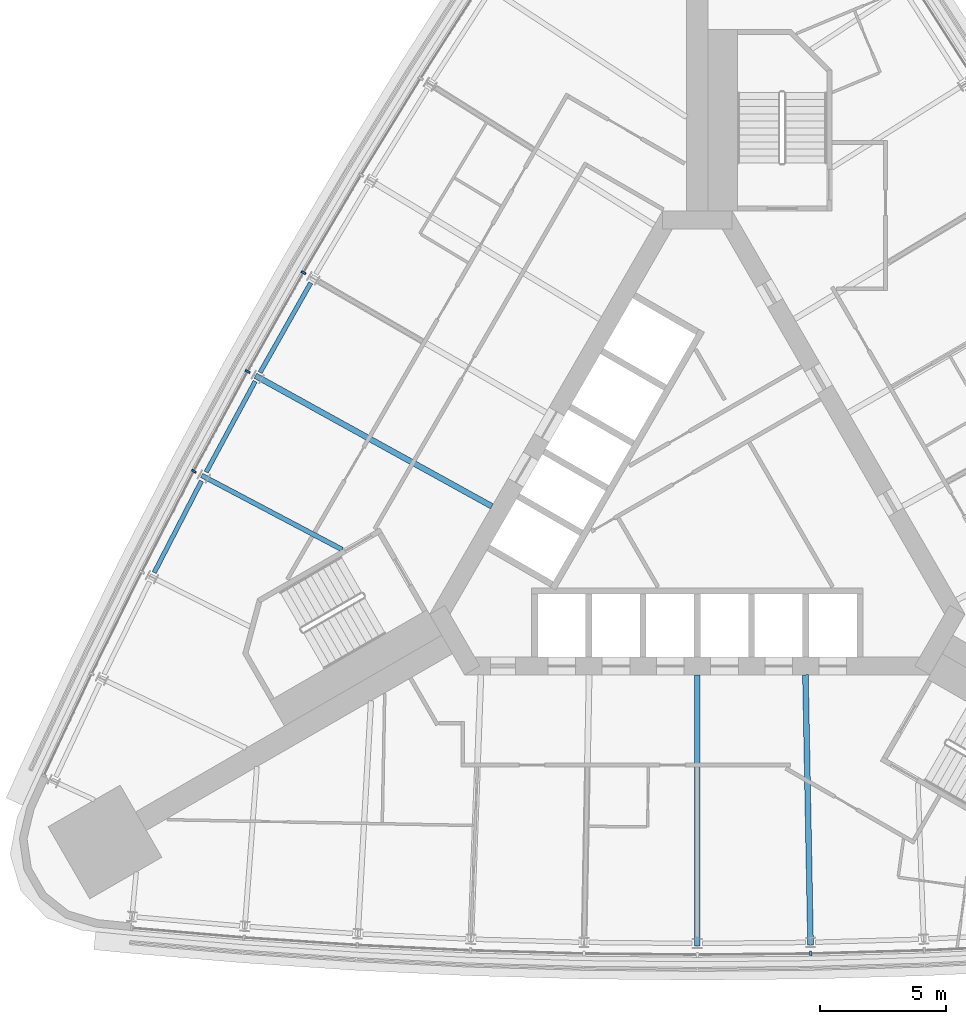
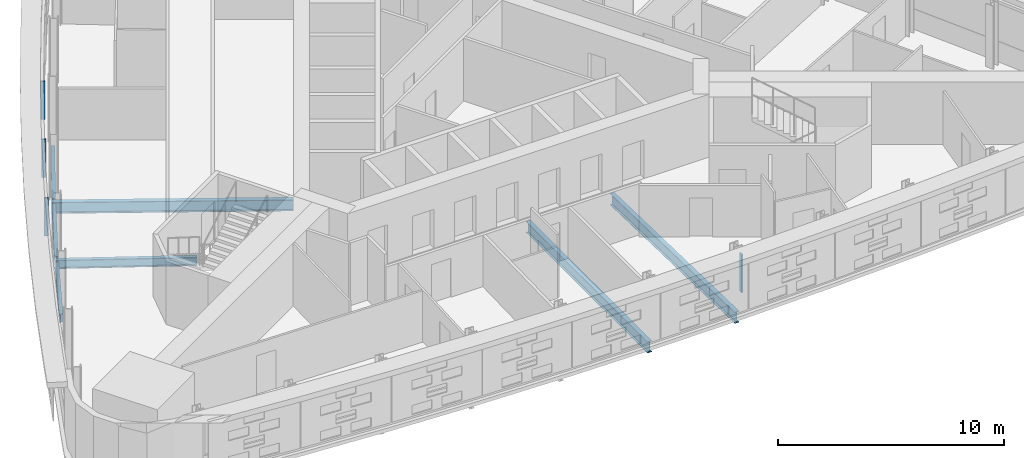
# One storey, part 4 of 15: 7 beams, 4 members, 2 elements without a shape of their own.
"""IFC4 building model written with IfcOpenShell, lengths in metres."""

from ifc_helpers import new_model, si_unit, direction, frame, origin, origin_2d, place, context, subcontext, project, spatial, rectangle, i_section, extrude, material, material_profile, profile_set, type_object, element, aggregate, save


model = new_model("IFC4")

# Units and contexts
model_context = context("Model", 3, precision=1e-05, world=origin(), true_north=direction((0.0, 1.0)))
body_context = subcontext(model_context, "Body", "Model", "MODEL_VIEW")
ifc_project = project(units=[si_unit("LENGTHUNIT", "METRE"), si_unit("AREAUNIT", "SQUARE_METRE"), si_unit("VOLUMEUNIT", "CUBIC_METRE"), si_unit("PLANEANGLEUNIT", "RADIAN"), si_unit("MASSUNIT", "GRAM", prefix="KILO")], contexts=[model_context])

# Site, building, storey
site_placement = place(None, origin())
site = spatial("IfcSite", under=ifc_project, at=site_placement, CompositionType="ELEMENT")
building_placement = place(site_placement, origin())
building = spatial("IfcBuilding", under=site, at=building_placement, Name="Noor Cloister Tower", CompositionType="ELEMENT")
storey_placement = place(building_placement, frame((0.0, 0.0, 45.60009765625)))
storey = spatial("IfcBuildingStorey", under=building, at=storey_placement, Name="L11", CompositionType="ELEMENT", Elevation=45.60009765625)

# Curtain wall, members
ifc_material_1 = material(Name="Aluminium 6063-T6 anodised", Category="aluminium")
curtain_wall_type = type_object("IfcCurtainWallType", Name="Ribbon curtain wall, lower tower CW1", PredefinedType="NOTDEFINED", material=ifc_material_1)
curtain_wall_1_placement = place(storey_placement, origin())
curtain_wall_1 = element("IfcCurtainWall", 1, at=curtain_wall_1_placement, inside=storey, type_object=curtain_wall_type, Name="CW1 L11 NW run 1", PredefinedType="NOTDEFINED")
ifc_material_2 = material(Name="Aluminium 6063-T6 anodised", Category="aluminium")
ifc_material_profile_1 = material_profile(ifc_material_2, rectangle(XDim=0.199951171875, YDim=0.080078125, at=origin_2d()), Name="200 x 80 mullion")
ifc_profile_set_1 = profile_set([ifc_material_profile_1], Name="Aluminium 6063-T6 anodised")
member_type = type_object("IfcMemberType", Name="Mullion CW1 80 x 200", PredefinedType="MULLION", material=ifc_profile_set_1)
member_1_placement = place(storey_placement, frame((-15.615478515625, 9.015625, 1.099853515625), z_axis=(0.0, 0.0, 1.0), x_axis=(0.866025403784, -0.5, 0.0)))
member_1 = element("IfcMember", 2, at=member_1_placement, type_object=member_type, Name="CW1 mullion 6", PredefinedType="MULLION", context=body_context, shape_type="SweptSolid", body=[
    extrude(rectangle(XDim=0.199951171875, YDim=0.080078125, at=origin_2d()), origin(), (0.0, 0.0, 1.0), 2.050048828125),
])
member_2_placement = place(storey_placement, frame((-17.82763671875, 5.09912109375, 1.099853515625), z_axis=(0.0, 0.0, 1.0), x_axis=(0.875327855572, -0.48352988042, 0.0)))
member_2 = element("IfcMember", 3, at=member_2_placement, type_object=member_type, Name="CW1 mullion 7", PredefinedType="MULLION", context=body_context, shape_type="SweptSolid", body=[
    extrude(rectangle(XDim=0.199951171875, YDim=0.080078125, at=origin_2d()), origin(), (0.0, 0.0, 1.0), 2.050048828125),
])
member_3_placement = place(storey_placement, frame((-19.965087890625, 1.141357421875, 1.099853515625), z_axis=(0.0, 0.0, 1.0), x_axis=(0.884317114661, -0.466886753632, 0.0)))
member_3 = element("IfcMember", 4, at=member_3_placement, type_object=member_type, Name="CW1 mullion 8", PredefinedType="MULLION", context=body_context, shape_type="SweptSolid", body=[
    extrude(rectangle(XDim=0.199951171875, YDim=0.080078125, at=origin_2d()), origin(), (0.0, 0.0, 1.0), 2.050048828125),
])
aggregate(curtain_wall_1, [member_1, member_2, member_3])

# Curtain wall, member
curtain_wall_2_placement = place(storey_placement, origin())
curtain_wall_2 = element("IfcCurtainWall", 5, at=curtain_wall_2_placement, inside=storey, type_object=curtain_wall_type, Name="CW1 L11 S run 2", PredefinedType="NOTDEFINED")
member_4_placement = place(storey_placement, frame((4.497802734375, -17.988525390625, 1.099853515625), z_axis=(0.0, 0.0, 1.0), x_axis=(-0.018914767854, 0.999821099776, 0.0)))
member_4 = element("IfcMember", 6, at=member_4_placement, type_object=member_type, Name="CW1 mullion 7", PredefinedType="MULLION", context=body_context, shape_type="SweptSolid", body=[
    extrude(rectangle(XDim=0.199951171875, YDim=0.080078125, at=origin_2d()), origin(), (0.0, 0.0, 1.0), 2.050048828125),
])
aggregate(curtain_wall_2, [member_4])

# Beams
ifc_material_3 = material(Name="Steel ASTM A992 Gr 50", Category="steel")
ifc_material_profile_2 = material_profile(ifc_material_3, i_section(OverallWidth=0.19091796875, OverallDepth=0.45703125, WebThickness=0.009033203125, FlangeThickness=0.014404296875, FilletRadius=0.01025390625, at=origin_2d()), Name="W460x74")
ifc_profile_set_2 = profile_set([ifc_material_profile_2], Name="Steel ASTM A992 Gr 50")
beam_type_1 = type_object("IfcBeamType", Name="Radial beam W460x74", PredefinedType="BEAM", material=ifc_profile_set_2)
beam_1_placement = place(storey_placement, frame((-19.653076171875, 0.9765625, -0.4287109375), z_axis=(0.884326132402, -0.466869672983, 0.0), x_axis=(0.466869672983, 0.884326132402, 0.0)))
element("IfcBeam", 7, at=beam_1_placement, inside=storey, type_object=beam_type_1, Name="Radial beam NW 08 L11", PredefinedType="BEAM", context=body_context, shape_type="SweptSolid", body=[
    extrude(i_section(OverallWidth=0.19091796875, OverallDepth=0.45703125, WebThickness=0.009033203125, FlangeThickness=0.014404296875, FilletRadius=0.01025390625, at=origin_2d()), origin(), (0.0, 0.0, 1.0), 6.304443359375),
])
ifc_material_4 = material(Name="Steel ASTM A992 Gr 50", Category="steel")
ifc_material_profile_3 = material_profile(ifc_material_4, i_section(OverallWidth=0.22802734375, OverallDepth=0.60205078125, WebThickness=0.010498046875, FlangeThickness=0.014892578125, FilletRadius=0.0126953125, at=origin_2d()), Name="W610x101")
ifc_profile_set_3 = profile_set([ifc_material_profile_3], Name="Steel ASTM A992 Gr 50")
beam_type_2 = type_object("IfcBeamType", Name="Radial beam W610x101", PredefinedType="BEAM", material=ifc_profile_set_3)
beam_2_placement = place(storey_placement, frame((-17.5185546875, 4.928466796875, -0.5009765625), z_axis=(0.875322538909, -0.483539504982, 0.0), x_axis=(0.483539504982, 0.875322538909, 0.0)))
element("IfcBeam", 8, at=beam_2_placement, inside=storey, type_object=beam_type_2, Name="Radial beam NW 07 L11", PredefinedType="BEAM", context=body_context, shape_type="SweptSolid", body=[
    extrude(i_section(OverallWidth=0.22802734375, OverallDepth=0.60205078125, WebThickness=0.010498046875, FlangeThickness=0.014892578125, FilletRadius=0.0126953125, at=origin_2d()), origin(), (0.0, 0.0, 1.0), 10.70947265625),
])
beam_3_placement = place(storey_placement, frame((0.0, -17.67822265625, -0.5009765625), z_axis=(0.0, 1.0, 0.0), x_axis=(-1.0, 0.0, 0.0)))
element("IfcBeam", 9, at=beam_3_placement, inside=storey, type_object=beam_type_2, Name="Radial beam S 06 L11", PredefinedType="BEAM", context=body_context, shape_type="SweptSolid", body=[
    extrude(i_section(OverallWidth=0.22802734375, OverallDepth=0.60205078125, WebThickness=0.010498046875, FlangeThickness=0.014892578125, FilletRadius=0.0126953125, at=origin_2d()), origin(), (0.0, 0.0, 1.0), 10.75),
])
beam_4_placement = place(storey_placement, frame((4.4912109375, -17.6357421875, -0.5009765625), z_axis=(-0.018921323587, 0.999820975732, 0.0), x_axis=(-0.999820975732, -0.018921323587, 0.0)))
element("IfcBeam", 10, at=beam_4_placement, inside=storey, type_object=beam_type_2, Name="Radial beam S 07 L11", PredefinedType="BEAM", context=body_context, shape_type="SweptSolid", body=[
    extrude(i_section(OverallWidth=0.22802734375, OverallDepth=0.60205078125, WebThickness=0.010498046875, FlangeThickness=0.014892578125, FilletRadius=0.0126953125, at=origin_2d()), origin(), (0.0, 0.0, 1.0), 10.70947265625),
])
ifc_material_5 = material(Name="Steel ASTM A992 Gr 50", Category="steel")
ifc_material_profile_4 = material_profile(ifc_material_5, i_section(OverallWidth=0.177978515625, OverallDepth=0.406005859375, WebThickness=0.0078125, FlangeThickness=0.0126953125, FilletRadius=0.01025390625, at=origin_2d()), Name="W410x60")
ifc_profile_set_4 = profile_set([ifc_material_profile_4], Name="Steel ASTM A992 Gr 50")
beam_type_3 = type_object("IfcBeamType", Name="Spandrel beam W410x60", PredefinedType="SPANDREL", material=ifc_profile_set_4)
beam_5_placement = place(storey_placement, frame((-15.3251953125, 8.61474609375, -0.403076171875), z_axis=(-0.49175004503, -0.870736408572, 0.0), x_axis=(0.870736408572, -0.49175004503, 0.0)))
element("IfcBeam", 11, at=beam_5_placement, inside=storey, type_object=beam_type_3, Name="Spandrel beam NW 06 L11", PredefinedType="SPANDREL", context=body_context, shape_type="SweptSolid", body=[
    extrude(i_section(OverallWidth=0.177978515625, OverallDepth=0.406005859375, WebThickness=0.0078125, FlangeThickness=0.0126953125, FilletRadius=0.01025390625, at=origin_2d()), origin(), (0.0, 0.0, 1.0), 4.08544921875),
])
beam_6_placement = place(storey_placement, frame((-17.529541015625, 4.703857421875, -0.403076171875), z_axis=(-0.47524329356, -0.879854426554, 0.0), x_axis=(0.879854426554, -0.47524329356, 0.0)))
element("IfcBeam", 12, at=beam_6_placement, inside=storey, type_object=beam_type_3, Name="Spandrel beam NW 07 L11", PredefinedType="SPANDREL", context=body_context, shape_type="SweptSolid", body=[
    extrude(i_section(OverallWidth=0.177978515625, OverallDepth=0.406005859375, WebThickness=0.0078125, FlangeThickness=0.0126953125, FilletRadius=0.01025390625, at=origin_2d()), origin(), (0.0, 0.0, 1.0), 4.085693359375),
])
beam_7_placement = place(storey_placement, frame((-19.659912109375, 0.751708984375, -0.403076171875), z_axis=(-0.458484598021, -0.888702353647, 0.0), x_axis=(0.888702353647, -0.458484598021, 0.0)))
element("IfcBeam", 13, at=beam_7_placement, inside=storey, type_object=beam_type_3, Name="Spandrel beam NW 08 L11", PredefinedType="SPANDREL", context=body_context, shape_type="SweptSolid", body=[
    extrude(i_section(OverallWidth=0.177978515625, OverallDepth=0.406005859375, WebThickness=0.0078125, FlangeThickness=0.0126953125, FilletRadius=0.01025390625, at=origin_2d()), origin(), (0.0, 0.0, 1.0), 4.085205078125),
])

save(model, "model.ifc")
